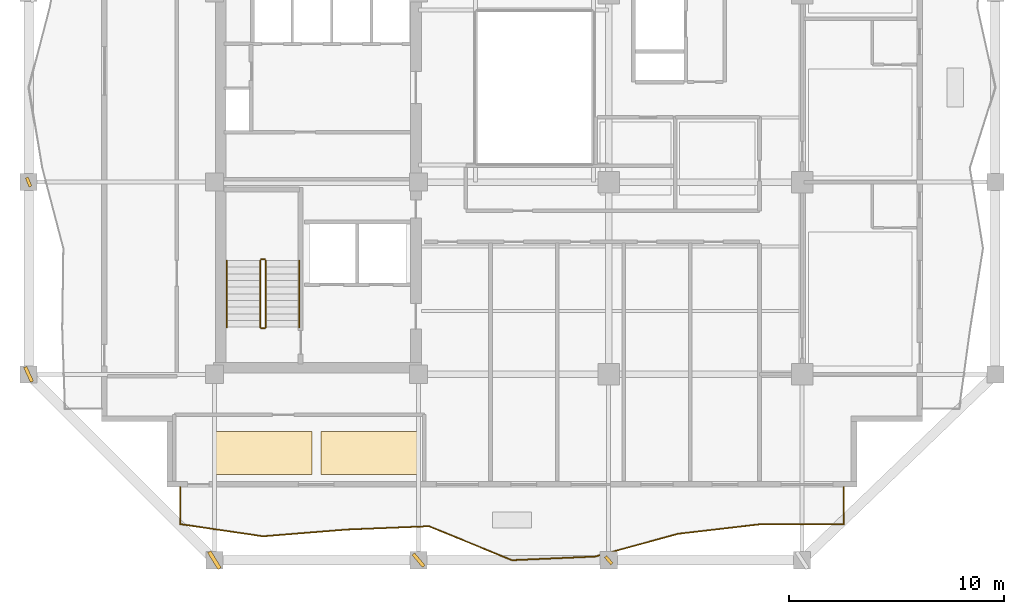
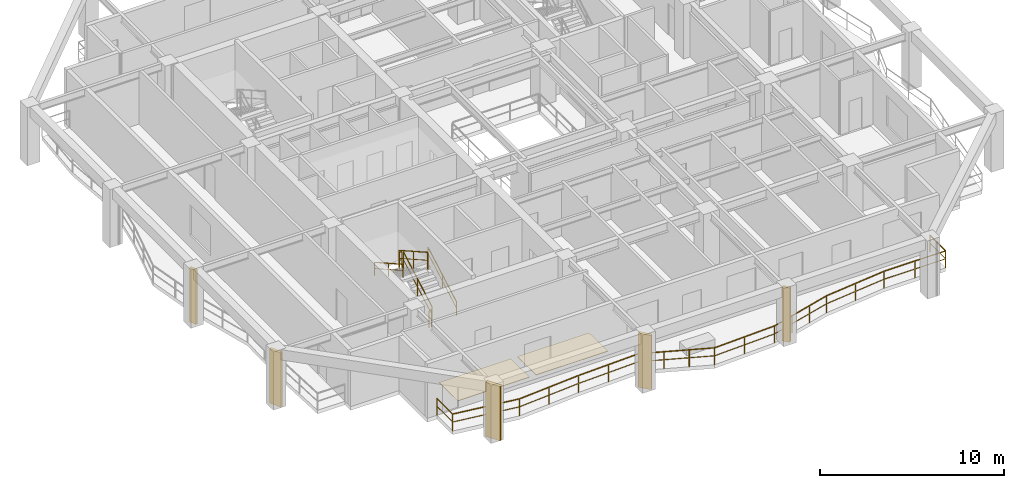
# One storey, part 7 of 10: 7 railings, 5 shading devices, 2 coverings.
"""IFC4 building model written with IfcOpenShell, lengths in metres."""

import ifcopenshell
import ifcopenshell.guid

model = None  # the IFC model being written
_history = None  # IfcOwnerHistory: only IFC2X3 demands one
_inside = {}  # id of a spatial element -> (the spatial element, [elements in it])
_under = {}  # id of a project, library or spatial element -> (it, [spatial elements below it])
_declared = {}  # id of a project -> (the project, [libraries it declares])
_typed = {}  # id of a type object -> (the type object, [elements of that type])
_made_of = {}  # id of a material, layer set ... -> (it, [elements and type objects made of it])


def new_model(schema):
    """Start an empty IFC model of exactly this schema.

    Asked for "IFC4X3", IfcOpenShell would pick the latest addendum, in which some entities
    have other attributes; the version numbers below select the first issue.
    IFC2X3 requires an IfcOwnerHistory on every rooted entity: one is made here for all.
    """
    global model, _history
    if schema == "IFC4X3":
        model = ifcopenshell.file(schema_version=(4, 3, 0, 0))
    else:
        model = ifcopenshell.file(schema=schema)
    _inside.clear()
    _under.clear()
    _declared.clear()
    _typed.clear()
    _made_of.clear()
    _history = None
    if model.schema == "IFC2X3":
        org = make("IfcOrganization", Name="unknown")
        user = make(
            "IfcPersonAndOrganization",
            ThePerson=make("IfcPerson", FamilyName="unknown"),
            TheOrganization=org,
        )
        app = make(
            "IfcApplication",
            ApplicationDeveloper=org,
            Version="unknown",
            ApplicationFullName="unknown",
            ApplicationIdentifier="unknown",
        )
        _history = make(
            "IfcOwnerHistory",
            OwningUser=user,
            OwningApplication=app,
            ChangeAction="ADDED",
            CreationDate=0,
        )
    return model


def make(cls, **values):
    """One entity of the class cls with the attributes given. An attribute that is None is left unset."""
    return model.create_entity(
        cls, **{name: value for name, value in values.items() if value is not None}
    )


def rooted(cls, **values):
    """An entity with a GlobalId (a new one), such as an element, a storey or a relation."""
    return make(cls, GlobalId=ifcopenshell.guid.new(), OwnerHistory=_history, **values)


def si_unit(unit_type, name, prefix=None):
    """IfcSIUnit, for example si_unit("LENGTHUNIT", "METRE", prefix="MILLI")."""
    return make("IfcSIUnit", UnitType=unit_type, Prefix=prefix, Name=name)


def assignment(units):
    """IfcUnitAssignment: the units of a project."""
    return None if units is None else make("IfcUnitAssignment", Units=units)


def point(xyz):
    """IfcCartesianPoint."""
    return None if xyz is None else make("IfcCartesianPoint", Coordinates=xyz)


def direction(xyz):
    """IfcDirection."""
    return None if xyz is None else make("IfcDirection", DirectionRatios=xyz)


def frame(location, z_axis=None, x_axis=None):
    """IfcAxis2Placement3D, a coordinate frame: its origin and axes. An axis left out is left unset."""
    return make(
        "IfcAxis2Placement3D",
        Location=point(location),
        Axis=direction(z_axis),
        RefDirection=direction(x_axis),
    )


def frame_2d(location, x_axis=None):
    """IfcAxis2Placement2D, a coordinate frame in the plane: its origin and x axis."""
    return make(
        "IfcAxis2Placement2D", Location=point(location), RefDirection=direction(x_axis)
    )


def origin():
    """The frame at (0, 0, 0) with its axes left unset."""
    return frame((0.0, 0.0, 0.0))


def origin_2d():
    """The frame at (0, 0) in the plane with its x axis left unset."""
    return frame_2d((0.0, 0.0))


def place(relative_to, where):
    """IfcLocalPlacement: puts the frame where relative to a parent placement (None: the world)."""
    return make(
        "IfcLocalPlacement", PlacementRelTo=relative_to, RelativePlacement=where
    )


def context(
    kind, dimensions, precision=None, world=None, true_north=None, identifier=None
):
    """IfcGeometricRepresentationContext, for example the 3D "Model" context."""
    return make(
        "IfcGeometricRepresentationContext",
        ContextIdentifier=identifier,
        ContextType=kind,
        CoordinateSpaceDimension=dimensions,
        Precision=precision,
        WorldCoordinateSystem=world,
        TrueNorth=true_north,
    )


def subcontext(parent, identifier, kind, view, scale=None):
    """IfcGeometricRepresentationSubContext, for example "Body" below "Model"."""
    return make(
        "IfcGeometricRepresentationSubContext",
        ContextIdentifier=identifier,
        ContextType=kind,
        ParentContext=parent,
        TargetScale=scale,
        TargetView=view,
    )


def project(units=None, contexts=None):
    """IfcProject with its units and contexts."""
    return rooted(
        "IfcProject",
        Name="project",
        RepresentationContexts=contexts,
        UnitsInContext=assignment(units),
    )


def spatial(cls, under=None, at=None, **own):
    """A site, building, storey or space (cls), placed at a placement, below another one or the project."""
    s = rooted(cls, ObjectPlacement=at, **own)
    if under is not None:
        _under.setdefault(under.id(), (under, []))[1].append(s)
    return s


def polyline(points):
    """IfcPolyline through the points."""
    return make("IfcPolyline", Points=[point(p) for p in points])


def profile(cls, at=None, kind="AREA", **sizes):
    """A parametric profile (cls). Its sizes go by their IFC names, for example OverallWidth=200.0."""
    return make(cls, ProfileType=kind, Position=at, **sizes)


def rectangle(**sizes):
    """IfcRectangleProfileDef."""
    return profile("IfcRectangleProfileDef", **sizes)


def outline(outer, holes=None, kind="AREA"):
    """IfcArbitraryClosedProfileDef: a profile drawn as a closed curve; with holes, ...WithVoids."""
    if holes is None:
        return make("IfcArbitraryClosedProfileDef", ProfileType=kind, OuterCurve=outer)
    return make(
        "IfcArbitraryProfileDefWithVoids",
        ProfileType=kind,
        OuterCurve=outer,
        InnerCurves=holes,
    )


def extrude(swept, where, along, depth):
    """IfcExtrudedAreaSolid: the profile swept, set in the frame where, extruded along a direction by depth."""
    return make(
        "IfcExtrudedAreaSolid",
        SweptArea=swept,
        Position=where,
        ExtrudedDirection=direction(along),
        Depth=depth,
    )


def shape(context_of_items, identifier, shape_type, items):
    """IfcShapeRepresentation: the items that make up one representation, for example the "Body"."""
    return make(
        "IfcShapeRepresentation",
        ContextOfItems=context_of_items,
        RepresentationIdentifier=identifier,
        RepresentationType=shape_type,
        Items=items,
    )


def material(Name=None, Category=None):
    """IfcMaterial."""
    return make("IfcMaterial", Name=Name, Category=Category)


def layer(
    of_material, thickness, ventilated=None, Name=None, Category=None, Priority=None
):
    """IfcMaterialLayer: one layer of a wall or slab, of a material (None: an air gap)."""
    return make(
        "IfcMaterialLayer",
        Material=of_material,
        LayerThickness=thickness,
        IsVentilated=ventilated,
        Name=Name,
        Category=Category,
        Priority=Priority,
    )


def layer_set(layers, Name=None):
    """IfcMaterialLayerSet."""
    return make("IfcMaterialLayerSet", MaterialLayers=layers, LayerSetName=Name)


def made_of(thing, what):
    """Note that an element or type object is made of a material, layer set ...; save() writes the relation."""
    if what is not None:
        _made_of.setdefault(what.id(), (what, []))[1].append(thing)
    return thing


def type_object(cls, material=None, **own):
    """A type object (cls), such as IfcWallType, which elements share."""
    return made_of(rooted(cls, **own), material)


def element(
    cls,
    number,
    at=None,
    inside=None,
    cuts=None,
    type_object=None,
    material=None,
    context=None,
    identifier="Body",
    shape_type=None,
    held_by="IfcProductDefinitionShape",
    body=None,
    shapes=None,
    **own,
):
    """One element of the class cls, such as IfcWall. Its Tag is "e" and its number.

    at: its placement. inside: the storey or other place that contains it. cuts: it is an
    opening in that element (IfcRelVoidsElement). A single representation is given by context,
    identifier, shape_type and body (its items); several are given by shapes. held_by: the class
    of the entity that holds the representations. save() writes the other relations.
    """
    e = rooted(cls, Tag="e%d" % number, ObjectPlacement=at, **own)
    if body is not None:
        shapes = [shape(context, identifier, shape_type, body)]
    if shapes is not None:
        e.Representation = make(held_by, Representations=shapes)
    if inside is not None:
        _inside.setdefault(inside.id(), (inside, []))[1].append(e)
    if cuts is not None:
        rooted(
            "IfcRelVoidsElement", RelatingBuildingElement=cuts, RelatedOpeningElement=e
        )
    if type_object is not None:
        _typed.setdefault(type_object.id(), (type_object, []))[1].append(e)
    return made_of(e, material)


def aggregate(whole, parts):
    """IfcRelAggregates: a whole, such as a stair, and the parts it consists of."""
    return rooted("IfcRelAggregates", RelatingObject=whole, RelatedObjects=parts)


def save(model, path):
    """Write the relations noted so far, then the file.

    IfcRelAggregates (storeys below a building ...), IfcRelContainedInSpatialStructure (elements
    in a storey), IfcRelDefinesByType, IfcRelAssociatesMaterial and IfcRelDeclares: one each for
    every whole, place, type object, material and project.
    """
    for whole, parts in _under.values():
        aggregate(whole, parts)
    for where, things in _inside.values():
        rooted(
            "IfcRelContainedInSpatialStructure",
            RelatedElements=things,
            RelatingStructure=where,
        )
    for kind, things in _typed.values():
        rooted("IfcRelDefinesByType", RelatedObjects=things, RelatingType=kind)
    for what, things in _made_of.values():
        rooted("IfcRelAssociatesMaterial", RelatedObjects=things, RelatingMaterial=what)
    for by, libraries in _declared.values():
        rooted("IfcRelDeclares", RelatingContext=by, RelatedDefinitions=libraries)
    model.write(path)


model = new_model("IFC4")

# Units and contexts
model_context = context("Model", 3, precision=1e-05, world=origin(), true_north=direction((0.0, 1.0)))
body_context = subcontext(model_context, "Body", "Model", "MODEL_VIEW")
ifc_project = project(units=[si_unit("LENGTHUNIT", "METRE"), si_unit("AREAUNIT", "SQUARE_METRE"), si_unit("VOLUMEUNIT", "CUBIC_METRE"), si_unit("PLANEANGLEUNIT", "RADIAN"), si_unit("MASSUNIT", "GRAM", prefix="KILO")], contexts=[model_context])

# Site, building, storey
site_placement = place(None, origin())
site = spatial("IfcSite", under=ifc_project, at=site_placement, CompositionType="ELEMENT")
building_placement = place(site_placement, origin())
building = spatial("IfcBuilding", under=site, at=building_placement, Name="Kundavana Baori Tower", CompositionType="ELEMENT")
storey_placement = place(building_placement, frame((0.0, 0.0, 138.64990234375)))
storey = spatial("IfcBuildingStorey", under=building, at=storey_placement, Name="L33", CompositionType="ELEMENT", Elevation=138.64990234375)

# Coverings
ifc_material_1 = material(Name="Honed Kota Stone and Terrazzo Flooring", Category="masonry")
ifc_layer = layer(ifc_material_1, 0.030029296875, Name="COV-INT-FLR")
ifc_layer_set = layer_set([ifc_layer], Name="Honed Kota Stone and Terrazzo Flooring")
covering_type = type_object("IfcCoveringType", Name="COV-INT-FLR", PredefinedType="FLOORING", material=ifc_layer_set)
covering_1_placement = place(storey_placement, origin())
element("IfcCovering", 1, at=covering_1_placement, inside=storey, type_object=covering_type, Name="L33 Room Finished Stone Flooring 5", PredefinedType="FLOORING", context=body_context, shape_type="SweptSolid", body=[
    extrude(outline(polyline([(15.5, 10.580078125), (20.0, 10.580078125), (20.0, 12.60009765625), (15.5, 12.60009765625), (15.5, 10.580078125)])), origin(), (0.0, 0.0, 1.0), 0.030029296875),
])
covering_2_placement = place(storey_placement, origin())
element("IfcCovering", 2, at=covering_2_placement, inside=storey, type_object=covering_type, Name="L33 Room Finished Stone Flooring 6", PredefinedType="FLOORING", context=body_context, shape_type="SweptSolid", body=[
    extrude(outline(polyline([(20.39990234375, 10.580078125), (24.89990234375, 10.580078125), (24.89990234375, 12.60009765625), (20.39990234375, 12.60009765625), (20.39990234375, 10.580078125)])), origin(), (0.0, 0.0, 1.0), 0.030029296875),
])

# Railings
ifc_material_2 = material(Name="Architectural Patinated Bronze Metalwork")
railing_type_1 = type_object("IfcRailingType", Name="RL-BAL-1150", PredefinedType="BALUSTRADE", material=ifc_material_2)
railing_1_placement = place(storey_placement, frame((44.75, 10.0, 0.0)))
element("IfcRailing", 3, at=railing_1_placement, inside=storey, type_object=railing_type_1, Name="L33 Loggia Balcony Balustrade S", PredefinedType="BALUSTRADE", context=body_context, shape_type="SweptSolid", body=[
    extrude(rectangle(XDim=0.048095703125, YDim=0.048095703125, at=origin_2d()), frame((0.0, 0.0, 1.1259765625), z_axis=(0.0, -1.0, 0.0), x_axis=(1.0, 0.0, 0.0)), (0.0, 0.0, 1.0), 1.719970703125),
    extrude(rectangle(XDim=0.03125, YDim=0.03125, at=origin_2d()), frame((0.0, 0.0, 0.597900390625), z_axis=(0.0, -1.0, 0.0), x_axis=(1.0, 0.0, 0.0)), (0.0, 0.0, 1.0), 1.719970703125),
    extrude(rectangle(XDim=0.048095703125, YDim=0.048095703125, at=origin_2d()), frame((0.0, -1.719970703125, 1.1259765625), z_axis=(-0.999999422849, -0.001074384768, 0.0), x_axis=(0.001074384768, -0.999999422849, 0.0)), (0.0, 0.0, 1.0), 3.863037109375),
    extrude(rectangle(XDim=0.03125, YDim=0.03125, at=origin_2d()), frame((0.0, -1.719970703125, 0.597900390625), z_axis=(-0.999999422849, -0.001074384768, 0.0), x_axis=(0.001074384768, -0.999999422849, 0.0)), (0.0, 0.0, 1.0), 3.863037109375),
    extrude(rectangle(XDim=0.048095703125, YDim=0.048095703125, at=origin_2d()), frame((-3.863037109375, -1.72412109375, 1.1259765625), z_axis=(-0.993310395598, -0.115474923668, 0.0), x_axis=(0.115474923668, -0.993310395598, 0.0)), (0.0, 0.0, 1.0), 3.88818359375),
    extrude(rectangle(XDim=0.03125, YDim=0.03125, at=origin_2d()), frame((-3.863037109375, -1.72412109375, 0.597900390625), z_axis=(-0.993310395598, -0.115474923668, 0.0), x_axis=(0.115474923668, -0.993310395598, 0.0)), (0.0, 0.0, 1.0), 3.88818359375),
    extrude(rectangle(XDim=0.048095703125, YDim=0.048095703125, at=origin_2d()), frame((-7.72509765625, -2.173095703125, 1.1259765625), z_axis=(-0.96453126467, -0.263968633503, 0.0), x_axis=(0.263968633503, -0.96453126467, 0.0)), (0.0, 0.0, 1.0), 4.00390625),
    extrude(rectangle(XDim=0.03125, YDim=0.03125, at=origin_2d()), frame((-7.72509765625, -2.173095703125, 0.597900390625), z_axis=(-0.96453126467, -0.263968633503, 0.0), x_axis=(0.263968633503, -0.96453126467, 0.0)), (0.0, 0.0, 1.0), 4.00390625),
    extrude(rectangle(XDim=0.048095703125, YDim=0.048095703125, at=origin_2d()), frame((-11.5869140625, -3.22998046875, 1.1259765625), z_axis=(-0.999033990997, -0.043944110329, 0.0), x_axis=(0.043944110329, -0.999033990997, 0.0)), (0.0, 0.0, 1.0), 3.86669921875),
    extrude(rectangle(XDim=0.03125, YDim=0.03125, at=origin_2d()), frame((-11.5869140625, -3.22998046875, 0.597900390625), z_axis=(-0.999033990997, -0.043944110329, 0.0), x_axis=(0.043944110329, -0.999033990997, 0.0)), (0.0, 0.0, 1.0), 3.86669921875),
    extrude(rectangle(XDim=0.048095703125, YDim=0.048095703125, at=origin_2d()), frame((-15.449951171875, -3.39990234375, 1.1259765625), z_axis=(-0.925555344008, 0.378612341556, 0.0), x_axis=(-0.378612341556, -0.925555344008, 0.0)), (0.0, 0.0, 1.0), 4.172607421875),
    extrude(rectangle(XDim=0.03125, YDim=0.03125, at=origin_2d()), frame((-15.449951171875, -3.39990234375, 0.597900390625), z_axis=(-0.925555344008, 0.378612341556, 0.0), x_axis=(-0.378612341556, -0.925555344008, 0.0)), (0.0, 0.0, 1.0), 4.172607421875),
    extrude(rectangle(XDim=0.048095703125, YDim=0.048095703125, at=origin_2d()), frame((-19.31201171875, -1.820068359375, 1.1259765625), z_axis=(-0.99917533642, -0.040603535443, 0.0), x_axis=(0.040603535443, -0.99917533642, 0.0)), (0.0, 0.0, 1.0), 3.8662109375),
    extrude(rectangle(XDim=0.03125, YDim=0.03125, at=origin_2d()), frame((-19.31201171875, -1.820068359375, 0.597900390625), z_axis=(-0.99917533642, -0.040603535443, 0.0), x_axis=(0.040603535443, -0.99917533642, 0.0)), (0.0, 0.0, 1.0), 3.8662109375),
    extrude(rectangle(XDim=0.048095703125, YDim=0.048095703125, at=origin_2d()), frame((-23.175048828125, -1.97705078125, 1.1259765625), z_axis=(-0.996774285873, -0.080255984339, 0.0), x_axis=(0.080255984339, -0.996774285873, 0.0)), (0.0, 0.0, 1.0), 3.87548828125),
    extrude(rectangle(XDim=0.03125, YDim=0.03125, at=origin_2d()), frame((-23.175048828125, -1.97705078125, 0.597900390625), z_axis=(-0.996774285873, -0.080255984339, 0.0), x_axis=(0.080255984339, -0.996774285873, 0.0)), (0.0, 0.0, 1.0), 3.87548828125),
    extrude(rectangle(XDim=0.048095703125, YDim=0.048095703125, at=origin_2d()), frame((-27.0380859375, -2.2880859375, 1.1259765625), z_axis=(-0.989351719659, 0.145544408373, 0.0), x_axis=(-0.145544408373, -0.989351719659, 0.0)), (0.0, 0.0, 1.0), 3.9033203125),
    extrude(rectangle(XDim=0.03125, YDim=0.03125, at=origin_2d()), frame((-27.0380859375, -2.2880859375, 0.597900390625), z_axis=(-0.989351719659, 0.145544408373, 0.0), x_axis=(-0.145544408373, -0.989351719659, 0.0)), (0.0, 0.0, 1.0), 3.9033203125),
    extrude(rectangle(XDim=0.048095703125, YDim=0.048095703125, at=origin_2d()), frame((-30.89990234375, -1.719970703125, 1.1259765625), z_axis=(0.0, 1.0, 0.0), x_axis=(-1.0, 0.0, 0.0)), (0.0, 0.0, 1.0), 1.719970703125),
    extrude(rectangle(XDim=0.03125, YDim=0.03125, at=origin_2d()), frame((-30.89990234375, -1.719970703125, 0.597900390625), z_axis=(0.0, 1.0, 0.0), x_axis=(-1.0, 0.0, 0.0)), (0.0, 0.0, 1.0), 1.719970703125),
    extrude(rectangle(XDim=0.0419921875, YDim=0.0419921875, at=origin_2d()), origin(), (0.0, 0.0, 1.0), 1.101806640625),
    extrude(rectangle(XDim=0.0419921875, YDim=0.0419921875, at=origin_2d()), frame((0.0, -1.719970703125, 0.0)), (0.0, 0.0, 1.0), 1.101806640625),
    extrude(rectangle(XDim=0.0419921875, YDim=0.0419921875, at=origin_2d()), frame((-1.931640625, -1.72216796875, 0.0)), (0.0, 0.0, 1.0), 1.101806640625),
    extrude(rectangle(XDim=0.0419921875, YDim=0.0419921875, at=origin_2d()), frame((-3.863037109375, -1.72412109375, 0.0)), (0.0, 0.0, 1.0), 1.101806640625),
    extrude(rectangle(XDim=0.0419921875, YDim=0.0419921875, at=origin_2d()), frame((-5.7939453125, -1.94873046875, 0.0)), (0.0, 0.0, 1.0), 1.101806640625),
    extrude(rectangle(XDim=0.0419921875, YDim=0.0419921875, at=origin_2d()), frame((-7.72509765625, -2.173095703125, 0.0)), (0.0, 0.0, 1.0), 1.101806640625),
    extrude(rectangle(XDim=0.0419921875, YDim=0.0419921875, at=origin_2d()), frame((-9.012451171875, -2.525390625, 0.0)), (0.0, 0.0, 1.0), 1.101806640625),
    extrude(rectangle(XDim=0.0419921875, YDim=0.0419921875, at=origin_2d()), frame((-10.299560546875, -2.877685546875, 0.0)), (0.0, 0.0, 1.0), 1.101806640625),
    extrude(rectangle(XDim=0.0419921875, YDim=0.0419921875, at=origin_2d()), frame((-11.5869140625, -3.22998046875, 0.0)), (0.0, 0.0, 1.0), 1.101806640625),
    extrude(rectangle(XDim=0.0419921875, YDim=0.0419921875, at=origin_2d()), frame((-13.5185546875, -3.31494140625, 0.0)), (0.0, 0.0, 1.0), 1.101806640625),
    extrude(rectangle(XDim=0.0419921875, YDim=0.0419921875, at=origin_2d()), frame((-15.449951171875, -3.39990234375, 0.0)), (0.0, 0.0, 1.0), 1.101806640625),
    extrude(rectangle(XDim=0.0419921875, YDim=0.0419921875, at=origin_2d()), frame((-16.7373046875, -2.873291015625, 0.0)), (0.0, 0.0, 1.0), 1.101806640625),
    extrude(rectangle(XDim=0.0419921875, YDim=0.0419921875, at=origin_2d()), frame((-18.024658203125, -2.3466796875, 0.0)), (0.0, 0.0, 1.0), 1.101806640625),
    extrude(rectangle(XDim=0.0419921875, YDim=0.0419921875, at=origin_2d()), frame((-19.31201171875, -1.820068359375, 0.0)), (0.0, 0.0, 1.0), 1.101806640625),
    extrude(rectangle(XDim=0.0419921875, YDim=0.0419921875, at=origin_2d()), frame((-21.24365234375, -1.8984375, 0.0)), (0.0, 0.0, 1.0), 1.101806640625),
    extrude(rectangle(XDim=0.0419921875, YDim=0.0419921875, at=origin_2d()), frame((-23.175048828125, -1.97705078125, 0.0)), (0.0, 0.0, 1.0), 1.101806640625),
    extrude(rectangle(XDim=0.0419921875, YDim=0.0419921875, at=origin_2d()), frame((-25.1064453125, -2.132568359375, 0.0)), (0.0, 0.0, 1.0), 1.101806640625),
    extrude(rectangle(XDim=0.0419921875, YDim=0.0419921875, at=origin_2d()), frame((-27.0380859375, -2.2880859375, 0.0)), (0.0, 0.0, 1.0), 1.101806640625),
    extrude(rectangle(XDim=0.0419921875, YDim=0.0419921875, at=origin_2d()), frame((-28.968994140625, -2.00390625, 0.0)), (0.0, 0.0, 1.0), 1.101806640625),
    extrude(rectangle(XDim=0.0419921875, YDim=0.0419921875, at=origin_2d()), frame((-30.89990234375, -1.719970703125, 0.0)), (0.0, 0.0, 1.0), 1.101806640625),
    extrude(rectangle(XDim=0.0419921875, YDim=0.0419921875, at=origin_2d()), frame((-30.89990234375, 0.0, 0.0)), (0.0, 0.0, 1.0), 1.101806640625),
])
ifc_material_3 = material(Name="Architectural Patinated Bronze Metalwork")
railing_type_2 = type_object("IfcRailingType", Name="RL-GRD-1150", PredefinedType="GUARDRAIL", material=ifc_material_3)
railing_2_placement = place(storey_placement, frame((17.840087890625, 17.449951171875, 0.175048828125)))
element("IfcRailing", 4, at=railing_2_placement, inside=storey, type_object=railing_type_2, Name="L33 ST1 stair guard 1", PredefinedType="GUARDRAIL", context=body_context, shape_type="SweptSolid", body=[
    extrude(rectangle(XDim=0.048095703125, YDim=0.048095703125, at=origin_2d()), frame((0.0, 0.0, 1.1259765625), z_axis=(0.0, 0.870830938388, 0.491582624537), x_axis=(-1.0, 0.0, 0.0)), (0.0, 0.0, 1.0), 3.559814453125),
    extrude(rectangle(XDim=0.03125, YDim=0.03125, at=origin_2d()), frame((0.0, 0.0, 0.597900390625), z_axis=(0.0, 0.870830938388, 0.491582624537), x_axis=(-1.0, 0.0, 0.0)), (0.0, 0.0, 1.0), 3.559814453125),
    extrude(rectangle(XDim=0.0419921875, YDim=0.0419921875, at=origin_2d()), origin(), (0.0, 0.0, 1.0), 1.101806640625),
    extrude(rectangle(XDim=0.0419921875, YDim=0.0419921875, at=origin_2d()), frame((0.0, 1.550048828125, 0.875)), (0.0, 0.0, 1.0), 1.101806640625),
    extrude(rectangle(XDim=0.0419921875, YDim=0.0419921875, at=origin_2d()), frame((0.0, 3.10009765625, 1.75)), (0.0, 0.0, 1.0), 1.101806640625),
])
railing_3_placement = place(storey_placement, frame((17.7900390625, 20.60009765625, 1.925048828125)))
element("IfcRailing", 5, at=railing_3_placement, inside=storey, type_object=railing_type_2, Name="L33 ST1 stair guard 2", PredefinedType="GUARDRAIL", context=body_context, shape_type="SweptSolid", body=[
    extrude(rectangle(XDim=0.048095703125, YDim=0.048095703125, at=origin_2d()), frame((0.0, 0.0, 1.1259765625), z_axis=(-1.0, 0.0, 0.0), x_axis=(0.0, -1.0, 0.0)), (0.0, 0.0, 1.0), 0.16015625),
    extrude(rectangle(XDim=0.03125, YDim=0.03125, at=origin_2d()), frame((0.0, 0.0, 0.597900390625), z_axis=(-1.0, 0.0, 0.0), x_axis=(0.0, -1.0, 0.0)), (0.0, 0.0, 1.0), 0.16015625),
    extrude(rectangle(XDim=0.0419921875, YDim=0.0419921875, at=origin_2d()), origin(), (0.0, 0.0, 1.0), 1.101806640625),
    extrude(rectangle(XDim=0.0419921875, YDim=0.0419921875, at=origin_2d()), frame((-0.16015625, 0.0, 0.0)), (0.0, 0.0, 1.0), 1.101806640625),
])
railing_4_placement = place(storey_placement, frame((17.580078125, 20.550048828125, 2.10009765625)))
element("IfcRailing", 6, at=railing_4_placement, inside=storey, type_object=railing_type_2, Name="L33 ST1 stair guard 3", PredefinedType="GUARDRAIL", context=body_context, shape_type="SweptSolid", body=[
    extrude(rectangle(XDim=0.048095703125, YDim=0.048095703125, at=origin_2d()), frame((0.0, 0.0, 1.1259765625), z_axis=(0.0, -0.870830938388, 0.491582624537), x_axis=(1.0, 0.0, 0.0)), (0.0, 0.0, 1.0), 3.559814453125),
    extrude(rectangle(XDim=0.03125, YDim=0.03125, at=origin_2d()), frame((0.0, 0.0, 0.597900390625), z_axis=(0.0, -0.870830938388, 0.491582624537), x_axis=(1.0, 0.0, 0.0)), (0.0, 0.0, 1.0), 3.559814453125),
    extrude(rectangle(XDim=0.0419921875, YDim=0.0419921875, at=origin_2d()), origin(), (0.0, 0.0, 1.0), 1.101806640625),
    extrude(rectangle(XDim=0.0419921875, YDim=0.0419921875, at=origin_2d()), frame((0.0, -1.550048828125, 0.875)), (0.0, 0.0, 1.0), 1.101806640625),
    extrude(rectangle(XDim=0.0419921875, YDim=0.0419921875, at=origin_2d()), frame((0.0, -3.10009765625, 1.75)), (0.0, 0.0, 1.0), 1.101806640625),
])
railing_5_placement = place(storey_placement, frame((17.7900390625, 17.39990234375, 0.0)))
element("IfcRailing", 7, at=railing_5_placement, inside=storey, type_object=railing_type_2, Name="L33 ST1 stair guard 4", PredefinedType="GUARDRAIL", context=body_context, shape_type="SweptSolid", body=[
    extrude(rectangle(XDim=0.048095703125, YDim=0.048095703125, at=origin_2d()), frame((0.0, 0.0, 1.1259765625), z_axis=(-1.0, 0.0, 0.0), x_axis=(0.0, -1.0, 0.0)), (0.0, 0.0, 1.0), 0.16015625),
    extrude(rectangle(XDim=0.03125, YDim=0.03125, at=origin_2d()), frame((0.0, 0.0, 0.597900390625), z_axis=(-1.0, 0.0, 0.0), x_axis=(0.0, -1.0, 0.0)), (0.0, 0.0, 1.0), 0.16015625),
    extrude(rectangle(XDim=0.0419921875, YDim=0.0419921875, at=origin_2d()), origin(), (0.0, 0.0, 1.0), 1.101806640625),
    extrude(rectangle(XDim=0.0419921875, YDim=0.0419921875, at=origin_2d()), frame((-0.16015625, 0.0, 0.0)), (0.0, 0.0, 1.0), 1.101806640625),
])
ifc_material_4 = material(Name="Architectural Patinated Bronze Metalwork")
railing_type_3 = type_object("IfcRailingType", Name="RL-HND-920", PredefinedType="HANDRAIL", material=ifc_material_4)
railing_6_placement = place(storey_placement, frame((19.389892578125, 17.449951171875, 0.175048828125)))
element("IfcRailing", 8, at=railing_6_placement, inside=storey, type_object=railing_type_3, Name="L33 ST1 stair handrail 1", PredefinedType="HANDRAIL", context=body_context, shape_type="SweptSolid", body=[
    extrude(rectangle(XDim=0.048095703125, YDim=0.048095703125, at=origin_2d()), frame((0.0, 0.0, 0.8759765625), z_axis=(0.0, 0.870830938388, 0.491582624537), x_axis=(-1.0, 0.0, 0.0)), (0.0, 0.0, 1.0), 3.559814453125),
    extrude(rectangle(XDim=0.03125, YDim=0.03125, at=origin_2d()), frame((0.0, 0.0, 0.468017578125), z_axis=(0.0, 0.870830938388, 0.491582624537), x_axis=(-1.0, 0.0, 0.0)), (0.0, 0.0, 1.0), 3.559814453125),
    extrude(rectangle(XDim=0.0419921875, YDim=0.0419921875, at=origin_2d()), origin(), (0.0, 0.0, 1.0), 0.851806640625),
    extrude(rectangle(XDim=0.0419921875, YDim=0.0419921875, at=origin_2d()), frame((0.0, 1.550048828125, 0.875)), (0.0, 0.0, 1.0), 0.851806640625),
    extrude(rectangle(XDim=0.0419921875, YDim=0.0419921875, at=origin_2d()), frame((0.0, 3.10009765625, 1.75)), (0.0, 0.0, 1.0), 0.851806640625),
])
railing_7_placement = place(storey_placement, frame((16.030029296875, 20.550048828125, 2.10009765625)))
element("IfcRailing", 9, at=railing_7_placement, inside=storey, type_object=railing_type_3, Name="L33 ST1 stair handrail 2", PredefinedType="HANDRAIL", context=body_context, shape_type="SweptSolid", body=[
    extrude(rectangle(XDim=0.048095703125, YDim=0.048095703125, at=origin_2d()), frame((0.0, 0.0, 0.8759765625), z_axis=(0.0, -0.870830938388, 0.491582624537), x_axis=(1.0, 0.0, 0.0)), (0.0, 0.0, 1.0), 3.559814453125),
    extrude(rectangle(XDim=0.03125, YDim=0.03125, at=origin_2d()), frame((0.0, 0.0, 0.468017578125), z_axis=(0.0, -0.870830938388, 0.491582624537), x_axis=(1.0, 0.0, 0.0)), (0.0, 0.0, 1.0), 3.559814453125),
    extrude(rectangle(XDim=0.0419921875, YDim=0.0419921875, at=origin_2d()), origin(), (0.0, 0.0, 1.0), 0.851806640625),
    extrude(rectangle(XDim=0.0419921875, YDim=0.0419921875, at=origin_2d()), frame((0.0, -1.550048828125, 0.875)), (0.0, 0.0, 1.0), 0.851806640625),
    extrude(rectangle(XDim=0.0419921875, YDim=0.0419921875, at=origin_2d()), frame((0.0, -3.10009765625, 1.75)), (0.0, 0.0, 1.0), 0.851806640625),
])

# Shading devices
ifc_material_5 = material(Name="Red-Buff Dholpur Sandstone Cladding on Concrete C40/50", Category="masonry")
shading_device_type_1 = type_object("IfcShadingDeviceType", Name="SHD-FIN-750", PredefinedType="JALOUSIE", material=ifc_material_5)
for number, where, z_axis, x_axis, name in (
    (10, (24.949951171875, 6.60009765625, 0.0), (0.0, 0.0, 1.0), (0.76232956683, 0.647189023035, 0.0), "L33 Sweeping Dholpur Sandstone Facade Fin 2"),
    (11, (6.800048828125, 15.25, 0.0), (0.0, 0.0, 1.0), (0.909671538649, 0.415328414356, 0.0), "L33 Sweeping Dholpur Sandstone Facade Fin 5"),
):
    element("IfcShadingDevice", number, at=place(storey_placement, frame(where, z_axis=z_axis, x_axis=x_axis)), inside=storey, type_object=shading_device_type_1, Name=name, PredefinedType="JALOUSIE", context=body_context, shape_type="SweptSolid", body=[
        extrude(rectangle(XDim=0.159912109375, YDim=0.75, at=origin_2d()), origin(), (0.0, 0.0, 1.0), 3.60009765625),
    ])
ifc_material_6 = material(Name="Red-Buff Dholpur Sandstone Cladding on Concrete C40/50", Category="masonry")
shading_device_type_2 = type_object("IfcShadingDeviceType", Name="SHD-FIN-920", PredefinedType="JALOUSIE", material=ifc_material_6)
shading_device_placement = place(storey_placement, frame((15.449951171875, 6.60009765625, 0.0), z_axis=(0.0, 0.0, 1.0), x_axis=(0.849524601357, 0.527549004064, 0.0)))
element("IfcShadingDevice", 12, at=shading_device_placement, inside=storey, type_object=shading_device_type_2, Name="L33 Sweeping Dholpur Sandstone Facade Fin 1", PredefinedType="JALOUSIE", context=body_context, shape_type="SweptSolid", body=[
    extrude(rectangle(XDim=0.179931640625, YDim=0.919921875, at=origin_2d()), origin(), (0.0, 0.0, 1.0), 3.60009765625),
])
ifc_material_7 = material(Name="Architectural Patinated Bronze Metalwork")
shading_device_type_3 = type_object("IfcShadingDeviceType", Name="SHD-LOUV-450", PredefinedType="SHUTTER", material=ifc_material_7)
for number, where, z_axis, x_axis, name in (
    (13, (33.800048828125, 6.60009765625, 0.0), (0.0, 0.0, 1.0), (0.752874577493, 0.658164014943, 0.0), "L33 Sweeping Dholpur Sandstone Facade Fin 3"),
    (14, (6.800048828125, 24.199951171875, 0.0), (0.0, 0.0, 1.0), (0.924745434851, 0.380586232965, 0.0), "L33 Sweeping Dholpur Sandstone Facade Fin 6"),
):
    element("IfcShadingDevice", number, at=place(storey_placement, frame(where, z_axis=z_axis, x_axis=x_axis)), inside=storey, type_object=shading_device_type_3, Name=name, PredefinedType="SHUTTER", context=body_context, shape_type="SweptSolid", body=[
        extrude(rectangle(XDim=0.139892578125, YDim=0.449951171875, at=origin_2d()), origin(), (0.0, 0.0, 1.0), 3.60009765625),
    ])

save(model, "model.ifc")
